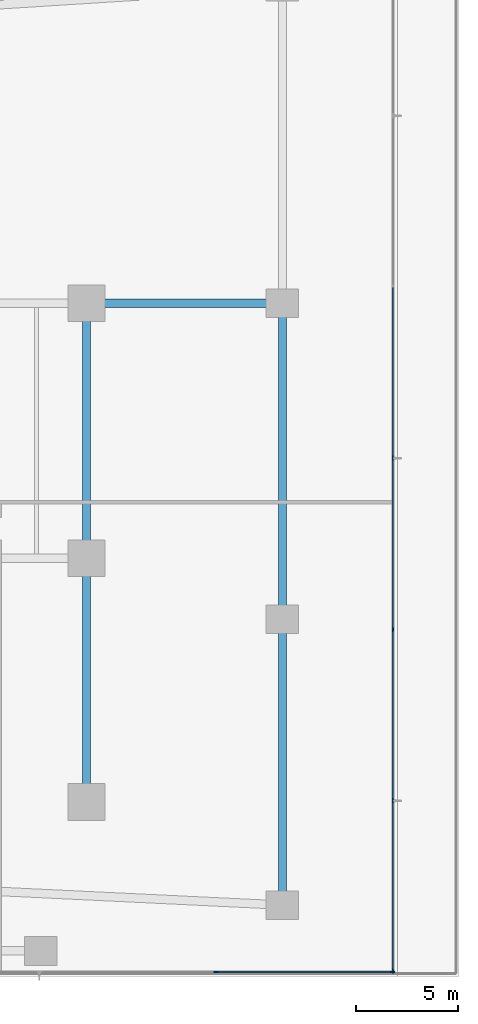
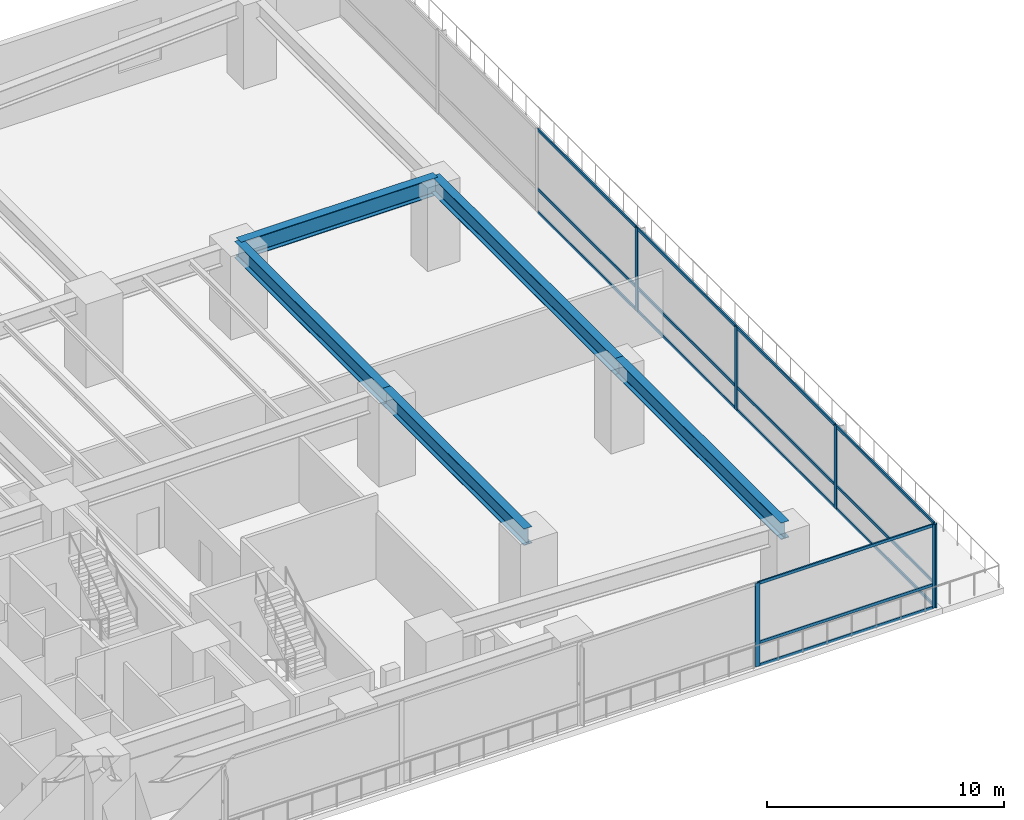
# One storey, part 7 of 27: 21 members, 5 beams, 2 elements without a shape of their own.
"""IFC4 building model written with IfcOpenShell, lengths in metres."""

from ifc_helpers import new_model, si_unit, direction, frame, origin, origin_2d, place, context, subcontext, project, spatial, rectangle, i_section, extrude, material, layer, layer_set, material_profile, profile_set, type_object, element, aggregate, save


model = new_model("IFC4")

# Units and contexts
model_context = context("Model", 3, precision=1e-05, world=origin(), true_north=direction((0.0, 1.0)))
body_context = subcontext(model_context, "Body", "Model", "MODEL_VIEW")
ifc_project = project(units=[si_unit("LENGTHUNIT", "METRE"), si_unit("AREAUNIT", "SQUARE_METRE"), si_unit("VOLUMEUNIT", "CUBIC_METRE"), si_unit("PLANEANGLEUNIT", "RADIAN"), si_unit("MASSUNIT", "GRAM", prefix="KILO")], contexts=[model_context])

# Site, building, storey
site_placement = place(None, origin())
site = spatial("IfcSite", under=ifc_project, at=site_placement, CompositionType="ELEMENT")
building_placement = place(site_placement, origin())
building = spatial("IfcBuilding", under=site, at=building_placement, Name="Qalmaran Belvedere Hotel", CompositionType="ELEMENT")
storey_placement = place(building_placement, frame((0.0, 0.0, 5.39990234375)))
storey = spatial("IfcBuildingStorey", under=building, at=storey_placement, Name="L01", CompositionType="ELEMENT", Elevation=5.39990234375)

# Beams
ifc_material_1 = material(Name="Steel S355JR", Category="steel")
ifc_material_profile_1 = material_profile(ifc_material_1, i_section(OverallWidth=0.41796875, OverallDepth=0.912109375, WebThickness=0.019287109375, FlangeThickness=0.031982421875, FilletRadius=0.02392578125, at=origin_2d()), Name="W920X342")
ifc_profile_set_1 = profile_set([ifc_material_profile_1], Name="Steel S355JR")
beam_type_1 = type_object("IfcBeamType", Name="BM-PG2-W920X342", PredefinedType="USERDEFINED", material=ifc_profile_set_1)
beam_1_placement = place(storey_placement, frame((60.75, 33.0, 3.843994140625), z_axis=(1.0, 0.0, 0.0), x_axis=(0.0, 1.0, 0.0)))
element("IfcBeam", 1, at=beam_1_placement, inside=storey, type_object=beam_type_1, Name="L01 Podium Primary Girder GX25", ObjectType="GIRDER", PredefinedType="USERDEFINED", context=body_context, shape_type="SweptSolid", body=[
    extrude(i_section(OverallWidth=0.41796875, OverallDepth=0.912109375, WebThickness=0.019287109375, FlangeThickness=0.031982421875, FilletRadius=0.02392578125, at=origin_2d()), origin(), (0.0, 0.0, 1.0), 9.60009765625),
])
ifc_material_profile_2 = material_profile(ifc_material_1, i_section(OverallWidth=0.39990234375, OverallDepth=0.85498046875, WebThickness=0.018310546875, FlangeThickness=0.029296875, FilletRadius=0.02392578125, at=origin_2d()), Name="W840X299")
ifc_profile_set_2 = profile_set([ifc_material_profile_2], Name="Steel S355JR")
beam_type_2 = type_object("IfcBeamType", Name="BM-PG3-W840X299", PredefinedType="USERDEFINED", material=ifc_profile_set_2)
beam_2_placement = place(storey_placement, frame((60.75, 8.550048828125, 3.87255859375), z_axis=(0.0, 1.0, 0.0), x_axis=(-1.0, 0.0, 0.0)))
element("IfcBeam", 2, at=beam_2_placement, inside=storey, type_object=beam_type_2, Name="L01 Podium Transverse Girder GY53", ObjectType="GIRDER", PredefinedType="USERDEFINED", context=body_context, shape_type="SweptSolid", body=[
    extrude(i_section(OverallWidth=0.39990234375, OverallDepth=0.85498046875, WebThickness=0.018310546875, FlangeThickness=0.029296875, FilletRadius=0.02392578125, at=origin_2d()), origin(), (0.0, 0.0, 1.0), 11.949951171875),
])
beam_3_placement = place(storey_placement, frame((60.75, 20.5, 3.87255859375), z_axis=(0.0, 1.0, 0.0), x_axis=(-1.0, 0.0, 0.0)))
element("IfcBeam", 3, at=beam_3_placement, inside=storey, type_object=beam_type_2, Name="L01 Podium Transverse Girder GY54", ObjectType="GIRDER", PredefinedType="USERDEFINED", context=body_context, shape_type="SweptSolid", body=[
    extrude(i_section(OverallWidth=0.39990234375, OverallDepth=0.85498046875, WebThickness=0.018310546875, FlangeThickness=0.029296875, FilletRadius=0.02392578125, at=origin_2d()), origin(), (0.0, 0.0, 1.0), 12.5),
])
beam_4_placement = place(storey_placement, frame((70.35009765625, 3.5, 3.87255859375), z_axis=(0.0, 1.0, 0.0), x_axis=(-1.0, 0.0, 0.0)))
element("IfcBeam", 4, at=beam_4_placement, inside=storey, type_object=beam_type_2, Name="L01 Podium Transverse Girder GY55", ObjectType="GIRDER", PredefinedType="USERDEFINED", context=body_context, shape_type="SweptSolid", body=[
    extrude(i_section(OverallWidth=0.39990234375, OverallDepth=0.85498046875, WebThickness=0.018310546875, FlangeThickness=0.029296875, FilletRadius=0.02392578125, at=origin_2d()), origin(), (0.0, 0.0, 1.0), 14.0),
])
beam_5_placement = place(storey_placement, frame((70.35009765625, 17.5, 3.87255859375), z_axis=(0.0, 1.0, 0.0), x_axis=(-1.0, 0.0, 0.0)))
element("IfcBeam", 5, at=beam_5_placement, inside=storey, type_object=beam_type_2, Name="L01 Podium Transverse Girder GY56", ObjectType="GIRDER", PredefinedType="USERDEFINED", context=body_context, shape_type="SweptSolid", body=[
    extrude(i_section(OverallWidth=0.39990234375, OverallDepth=0.85498046875, WebThickness=0.018310546875, FlangeThickness=0.029296875, FilletRadius=0.02392578125, at=origin_2d()), origin(), (0.0, 0.0, 1.0), 15.5),
])

# Curtain wall, members
ifc_material_2 = material(Name="Anodised Bronze Aluminium", Category="aluminium")
ifc_layer = layer(ifc_material_2, 0.219970703125, Name="Anodised Bronze Aluminium")
ifc_layer_set = layer_set([ifc_layer], Name="Anodised Bronze Aluminium")
curtain_wall_type = type_object("IfcCurtainWallType", Name="CW1-PODIUM-BRONZE", PredefinedType="NOTDEFINED", material=ifc_layer_set)
curtain_wall_1_placement = place(storey_placement, origin())
curtain_wall_1 = element("IfcCurtainWall", 6, at=curtain_wall_1_placement, inside=storey, type_object=curtain_wall_type, Name="L01 Curtain Wall CW1", PredefinedType="NOTDEFINED")
ifc_material_profile_3 = material_profile(ifc_material_2, rectangle(XDim=0.074951171875, YDim=0.219970703125, at=origin_2d()), Name="CWM75X220")
ifc_profile_set_3 = profile_set([ifc_material_profile_3], Name="Anodised Bronze Aluminium")
member_type_1 = type_object("IfcMemberType", Name="CWM-75X220", PredefinedType="MULLION", material=ifc_profile_set_3)
member_1_placement = place(storey_placement, frame((67.106689453125, 0.219970703125, 0.0), z_axis=(0.0, 0.0, 1.0), x_axis=(0.0, 1.0, 0.0)))
member_1 = element("IfcMember", 7, at=member_1_placement, type_object=member_type_1, Name="CW1 mullion 9", PredefinedType="MULLION", context=body_context, shape_type="SweptSolid", body=[
    extrude(rectangle(XDim=0.074951171875, YDim=0.219970703125, at=origin_2d()), origin(), (0.0, 0.0, 1.0), 4.300048828125),
])
member_2_placement = place(storey_placement, frame((75.742431640625, 0.219970703125, 0.0), z_axis=(0.0, 0.0, 1.0), x_axis=(0.0, 1.0, 0.0)))
member_2 = element("IfcMember", 8, at=member_2_placement, type_object=member_type_1, Name="CW1 mullion 10", PredefinedType="MULLION", context=body_context, shape_type="SweptSolid", body=[
    extrude(rectangle(XDim=0.074951171875, YDim=0.219970703125, at=origin_2d()), origin(), (0.0, 0.0, 1.0), 4.300048828125),
])

curtain_wall_2_placement = place(storey_placement, origin())
curtain_wall_2 = element("IfcCurtainWall", 9, at=curtain_wall_2_placement, inside=storey, type_object=curtain_wall_type, Name="L01 Curtain Wall CW1", PredefinedType="NOTDEFINED")
member_3_placement = place(storey_placement, frame((75.780029296875, 0.257568359375, 0.0), z_axis=(0.0, 0.0, 1.0), x_axis=(-1.0, 0.0, 0.0)))
member_3 = element("IfcMember", 10, at=member_3_placement, type_object=member_type_1, Name="CW1 mullion 1", PredefinedType="MULLION", context=body_context, shape_type="SweptSolid", body=[
    extrude(rectangle(XDim=0.074951171875, YDim=0.219970703125, at=origin_2d()), origin(), (0.0, 0.0, 1.0), 4.300048828125),
])
member_4_placement = place(storey_placement, frame((75.780029296875, 8.61328125, 0.0), z_axis=(0.0, 0.0, 1.0), x_axis=(-1.0, 0.0, 0.0)))
member_4 = element("IfcMember", 11, at=member_4_placement, type_object=member_type_1, Name="CW1 mullion 2", PredefinedType="MULLION", context=body_context, shape_type="SweptSolid", body=[
    extrude(rectangle(XDim=0.074951171875, YDim=0.219970703125, at=origin_2d()), origin(), (0.0, 0.0, 1.0), 4.300048828125),
])
member_5_placement = place(storey_placement, frame((75.780029296875, 17.006591796875, 0.0), z_axis=(0.0, 0.0, 1.0), x_axis=(-1.0, 0.0, 0.0)))
member_5 = element("IfcMember", 12, at=member_5_placement, type_object=member_type_1, Name="CW1 mullion 3", PredefinedType="MULLION", context=body_context, shape_type="SweptSolid", body=[
    extrude(rectangle(XDim=0.074951171875, YDim=0.219970703125, at=origin_2d()), origin(), (0.0, 0.0, 1.0), 4.300048828125),
])
member_6_placement = place(storey_placement, frame((75.780029296875, 25.39990234375, 0.0), z_axis=(0.0, 0.0, 1.0), x_axis=(-1.0, 0.0, 0.0)))
member_6 = element("IfcMember", 13, at=member_6_placement, type_object=member_type_1, Name="CW1 mullion 4", PredefinedType="MULLION", context=body_context, shape_type="SweptSolid", body=[
    extrude(rectangle(XDim=0.074951171875, YDim=0.219970703125, at=origin_2d()), origin(), (0.0, 0.0, 1.0), 4.300048828125),
])

# Member
ifc_material_profile_4 = material_profile(ifc_material_2, rectangle(XDim=0.070068359375, YDim=0.14990234375, at=origin_2d()), Name="CWT70X150")
ifc_profile_set_4 = profile_set([ifc_material_profile_4], Name="Anodised Bronze Aluminium")
member_type_2 = type_object("IfcMemberType", Name="CWT-70X150", PredefinedType="USERDEFINED", material=ifc_profile_set_4)
member_7_placement = place(storey_placement, frame((67.144287109375, 0.219970703125, 0.03515625), z_axis=(1.0, 0.0, 0.0), x_axis=(0.0, 1.0, 0.0)))
member_7 = element("IfcMember", 14, at=member_7_placement, type_object=member_type_2, Name="CW1 transom 9.1", ObjectType="TRANSOM", PredefinedType="USERDEFINED", context=body_context, shape_type="SweptSolid", body=[
    extrude(rectangle(XDim=0.070068359375, YDim=0.14990234375, at=origin_2d()), origin(), (0.0, 0.0, 1.0), 8.560791015625),
])

member_8_placement = place(storey_placement, frame((67.144287109375, 0.219970703125, 1.2041015625), z_axis=(1.0, 0.0, 0.0), x_axis=(0.0, 1.0, 0.0)))
member_8 = element("IfcMember", 15, at=member_8_placement, type_object=member_type_2, Name="CW1 transom 9.2", ObjectType="TRANSOM", PredefinedType="USERDEFINED", context=body_context, shape_type="SweptSolid", body=[
    extrude(rectangle(XDim=0.070068359375, YDim=0.14990234375, at=origin_2d()), origin(), (0.0, 0.0, 1.0), 8.560791015625),
])

member_9_placement = place(storey_placement, frame((67.144287109375, 0.219970703125, 4.26513671875), z_axis=(1.0, 0.0, 0.0), x_axis=(0.0, 1.0, 0.0)))
member_9 = element("IfcMember", 16, at=member_9_placement, type_object=member_type_2, Name="CW1 transom 9.3", ObjectType="TRANSOM", PredefinedType="USERDEFINED", context=body_context, shape_type="SweptSolid", body=[
    extrude(rectangle(XDim=0.070068359375, YDim=0.14990234375, at=origin_2d()), origin(), (0.0, 0.0, 1.0), 8.560791015625),
])

aggregate(curtain_wall_1, [member_1, member_2, member_7, member_8, member_9])

member_10_placement = place(storey_placement, frame((75.780029296875, 0.294921875, 0.03515625), z_axis=(0.0, 1.0, 0.0), x_axis=(-1.0, 0.0, 0.0)))
member_10 = element("IfcMember", 17, at=member_10_placement, type_object=member_type_2, Name="CW1 transom 1.1", ObjectType="TRANSOM", PredefinedType="USERDEFINED", context=body_context, shape_type="SweptSolid", body=[
    extrude(rectangle(XDim=0.070068359375, YDim=0.14990234375, at=origin_2d()), origin(), (0.0, 0.0, 1.0), 8.281005859375),
])

member_11_placement = place(storey_placement, frame((75.780029296875, 0.294921875, 1.2041015625), z_axis=(0.0, 1.0, 0.0), x_axis=(-1.0, 0.0, 0.0)))
member_11 = element("IfcMember", 18, at=member_11_placement, type_object=member_type_2, Name="CW1 transom 1.2", ObjectType="TRANSOM", PredefinedType="USERDEFINED", context=body_context, shape_type="SweptSolid", body=[
    extrude(rectangle(XDim=0.070068359375, YDim=0.14990234375, at=origin_2d()), origin(), (0.0, 0.0, 1.0), 8.281005859375),
])

member_12_placement = place(storey_placement, frame((75.780029296875, 0.294921875, 4.26513671875), z_axis=(0.0, 1.0, 0.0), x_axis=(-1.0, 0.0, 0.0)))
member_12 = element("IfcMember", 19, at=member_12_placement, type_object=member_type_2, Name="CW1 transom 1.3", ObjectType="TRANSOM", PredefinedType="USERDEFINED", context=body_context, shape_type="SweptSolid", body=[
    extrude(rectangle(XDim=0.070068359375, YDim=0.14990234375, at=origin_2d()), origin(), (0.0, 0.0, 1.0), 8.281005859375),
])

member_13_placement = place(storey_placement, frame((75.780029296875, 8.65087890625, 0.03515625), z_axis=(0.0, 1.0, 0.0), x_axis=(-1.0, 0.0, 0.0)))
member_13 = element("IfcMember", 20, at=member_13_placement, type_object=member_type_2, Name="CW1 transom 2.1", ObjectType="TRANSOM", PredefinedType="USERDEFINED", context=body_context, shape_type="SweptSolid", body=[
    extrude(rectangle(XDim=0.070068359375, YDim=0.14990234375, at=origin_2d()), origin(), (0.0, 0.0, 1.0), 8.318359375),
])

member_14_placement = place(storey_placement, frame((75.780029296875, 8.65087890625, 1.2041015625), z_axis=(0.0, 1.0, 0.0), x_axis=(-1.0, 0.0, 0.0)))
member_14 = element("IfcMember", 21, at=member_14_placement, type_object=member_type_2, Name="CW1 transom 2.2", ObjectType="TRANSOM", PredefinedType="USERDEFINED", context=body_context, shape_type="SweptSolid", body=[
    extrude(rectangle(XDim=0.070068359375, YDim=0.14990234375, at=origin_2d()), origin(), (0.0, 0.0, 1.0), 8.318359375),
])

member_15_placement = place(storey_placement, frame((75.780029296875, 8.65087890625, 4.26513671875), z_axis=(0.0, 1.0, 0.0), x_axis=(-1.0, 0.0, 0.0)))
member_15 = element("IfcMember", 22, at=member_15_placement, type_object=member_type_2, Name="CW1 transom 2.3", ObjectType="TRANSOM", PredefinedType="USERDEFINED", context=body_context, shape_type="SweptSolid", body=[
    extrude(rectangle(XDim=0.070068359375, YDim=0.14990234375, at=origin_2d()), origin(), (0.0, 0.0, 1.0), 8.318359375),
])

member_16_placement = place(storey_placement, frame((75.780029296875, 17.044189453125, 0.03515625), z_axis=(0.0, 1.0, 0.0), x_axis=(-1.0, 0.0, 0.0)))
member_16 = element("IfcMember", 23, at=member_16_placement, type_object=member_type_2, Name="CW1 transom 3.1", ObjectType="TRANSOM", PredefinedType="USERDEFINED", context=body_context, shape_type="SweptSolid", body=[
    extrude(rectangle(XDim=0.070068359375, YDim=0.14990234375, at=origin_2d()), origin(), (0.0, 0.0, 1.0), 8.318359375),
])

member_17_placement = place(storey_placement, frame((75.780029296875, 17.044189453125, 1.2041015625), z_axis=(0.0, 1.0, 0.0), x_axis=(-1.0, 0.0, 0.0)))
member_17 = element("IfcMember", 24, at=member_17_placement, type_object=member_type_2, Name="CW1 transom 3.2", ObjectType="TRANSOM", PredefinedType="USERDEFINED", context=body_context, shape_type="SweptSolid", body=[
    extrude(rectangle(XDim=0.070068359375, YDim=0.14990234375, at=origin_2d()), origin(), (0.0, 0.0, 1.0), 8.318359375),
])

member_18_placement = place(storey_placement, frame((75.780029296875, 17.044189453125, 4.26513671875), z_axis=(0.0, 1.0, 0.0), x_axis=(-1.0, 0.0, 0.0)))
member_18 = element("IfcMember", 25, at=member_18_placement, type_object=member_type_2, Name="CW1 transom 3.3", ObjectType="TRANSOM", PredefinedType="USERDEFINED", context=body_context, shape_type="SweptSolid", body=[
    extrude(rectangle(XDim=0.070068359375, YDim=0.14990234375, at=origin_2d()), origin(), (0.0, 0.0, 1.0), 8.318359375),
])

member_19_placement = place(storey_placement, frame((75.780029296875, 25.4375, 0.03515625), z_axis=(0.0, 1.0, 0.0), x_axis=(-1.0, 0.0, 0.0)))
member_19 = element("IfcMember", 26, at=member_19_placement, type_object=member_type_2, Name="CW1 transom 4.1", ObjectType="TRANSOM", PredefinedType="USERDEFINED", context=body_context, shape_type="SweptSolid", body=[
    extrude(rectangle(XDim=0.070068359375, YDim=0.14990234375, at=origin_2d()), origin(), (0.0, 0.0, 1.0), 8.318359375),
])

member_20_placement = place(storey_placement, frame((75.780029296875, 25.4375, 1.2041015625), z_axis=(0.0, 1.0, 0.0), x_axis=(-1.0, 0.0, 0.0)))
member_20 = element("IfcMember", 27, at=member_20_placement, type_object=member_type_2, Name="CW1 transom 4.2", ObjectType="TRANSOM", PredefinedType="USERDEFINED", context=body_context, shape_type="SweptSolid", body=[
    extrude(rectangle(XDim=0.070068359375, YDim=0.14990234375, at=origin_2d()), origin(), (0.0, 0.0, 1.0), 8.318359375),
])

member_21_placement = place(storey_placement, frame((75.780029296875, 25.4375, 4.26513671875), z_axis=(0.0, 1.0, 0.0), x_axis=(-1.0, 0.0, 0.0)))
member_21 = element("IfcMember", 28, at=member_21_placement, type_object=member_type_2, Name="CW1 transom 4.3", ObjectType="TRANSOM", PredefinedType="USERDEFINED", context=body_context, shape_type="SweptSolid", body=[
    extrude(rectangle(XDim=0.070068359375, YDim=0.14990234375, at=origin_2d()), origin(), (0.0, 0.0, 1.0), 8.318359375),
])

aggregate(curtain_wall_2, [member_3, member_4, member_5, member_6, member_10, member_11, member_12, member_13, member_14, member_15, member_16, member_17, member_18, member_19, member_20, member_21])

save(model, "model.ifc")
